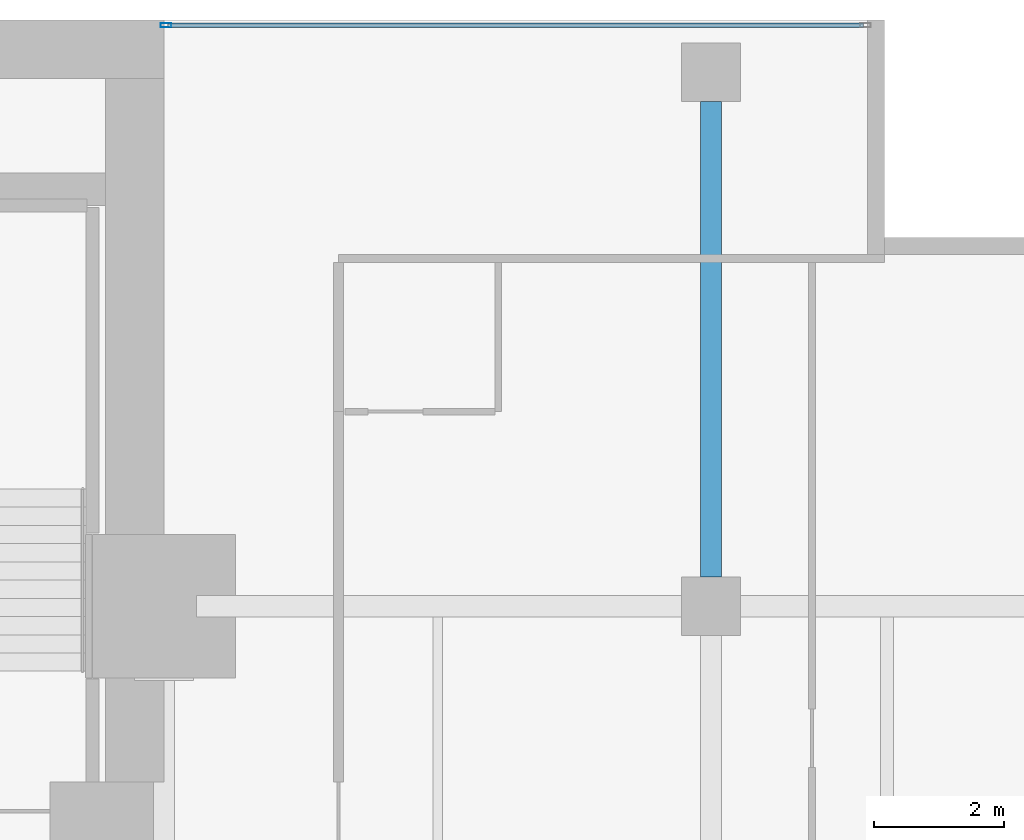
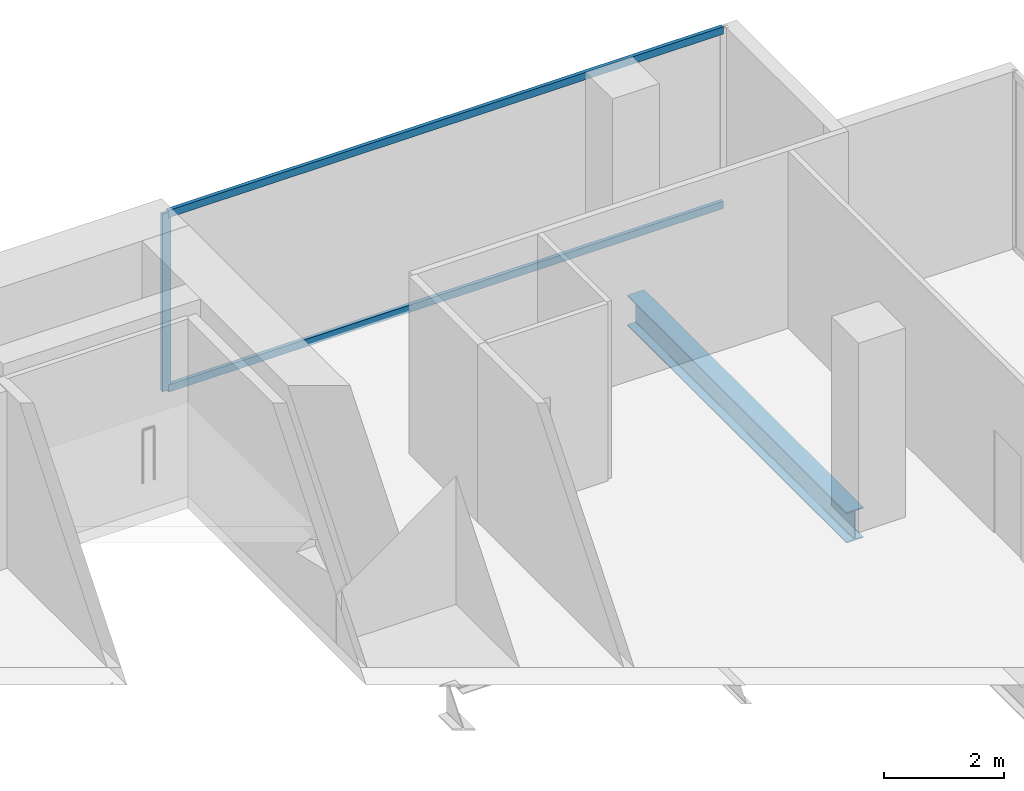
# One storey, part 30 of 40: 3 members, 1 beam, 1 element without a shape of its own.
"""IFC4 building model written with IfcOpenShell, lengths in metres."""

from ifc_helpers import new_model, si_unit, direction, frame, origin, origin_2d, place, context, subcontext, project, spatial, hollow_rectangle, i_section, extrude, material, layer, layer_set, material_profile, profile_set, type_object, element, aggregate, save


model = new_model("IFC4")

# Units and contexts
model_context = context("Model", 3, precision=1e-05, world=origin(), true_north=direction((0.0, 1.0)))
body_context = subcontext(model_context, "Body", "Model", "MODEL_VIEW")
ifc_project = project(units=[si_unit("LENGTHUNIT", "METRE"), si_unit("AREAUNIT", "SQUARE_METRE"), si_unit("VOLUMEUNIT", "CUBIC_METRE"), si_unit("PLANEANGLEUNIT", "RADIAN"), si_unit("MASSUNIT", "GRAM", prefix="KILO")], contexts=[model_context])

# Site, building, storey
site_placement = place(None, origin())
site = spatial("IfcSite", under=ifc_project, at=site_placement, CompositionType="ELEMENT")
building_placement = place(site_placement, origin())
building = spatial("IfcBuilding", under=site, at=building_placement, Name="Maruvema Waterfront Hotel and Observation Tower", CompositionType="ELEMENT")
storey_placement = place(building_placement, frame((0.0, 0.0, 73.14990234375)))
storey = spatial("IfcBuildingStorey", under=building, at=storey_placement, Name="L17", CompositionType="ELEMENT", Elevation=73.14990234375)

# Curtain wall, members
ifc_material_1 = material(Name="Anodised bronze aluminium and solar-control low-E IGU", Category="aluminium")
ifc_layer = layer(ifc_material_1, 0.159912109375, Name="Zone 1 Bronze Inner Thermal Curtain Wall System CW-02")
ifc_layer_set = layer_set([ifc_layer], Name="Anodised bronze aluminium and solar-control low-E IGU")
curtain_wall_type = type_object("IfcCurtainWallType", Name="Zone 1 Bronze Inner Thermal Curtain Wall System CW-02", PredefinedType="USERDEFINED", material=ifc_layer_set)
curtain_wall_placement = place(storey_placement, origin())
curtain_wall = element("IfcCurtainWall", 1, at=curtain_wall_placement, inside=storey, type_object=curtain_wall_type, Name="L17 Curtain Wall CW-L17-NE", ObjectType="UNITISED CURTAIN WALL", PredefinedType="USERDEFINED")
ifc_material_2 = material(Name="Anodised architectural bronze aluminium", Category="aluminium")
ifc_material_profile_1 = material_profile(ifc_material_2, hollow_rectangle(XDim=0.070068359375, YDim=0.14990234375, WallThickness=0.00390625, at=origin_2d()), Name="ALU-T70x150")
ifc_profile_set_1 = profile_set([ifc_material_profile_1], Name="Anodised architectural bronze aluminium")
member_type_1 = type_object("IfcMemberType", Name="Curtain Wall Horizontal Transom ALU-T70x150", PredefinedType="USERDEFINED", material=ifc_profile_set_1)
member_1_placement = place(storey_placement, frame((61.139892578125, 53.919921875, 0.030029296875), z_axis=(-1.0, 0.0, 0.0), x_axis=(0.0, -1.0, 0.0)))
member_1 = element("IfcMember", 2, at=member_1_placement, type_object=member_type_1, Name="CW-02 transom 1.1", ObjectType="TRANSOM", PredefinedType="USERDEFINED", context=body_context, shape_type="SweptSolid", body=[
    extrude(hollow_rectangle(XDim=0.070068359375, YDim=0.14990234375, WallThickness=0.00390625, at=origin_2d()), origin(), (0.0, 0.0, 1.0), 10.679931640625),
])
member_2_placement = place(storey_placement, frame((61.139892578125, 53.919921875, 3.580078125), z_axis=(-1.0, 0.0, 0.0), x_axis=(0.0, -1.0, 0.0)))
member_2 = element("IfcMember", 3, at=member_2_placement, type_object=member_type_1, Name="CW-02 transom 1.2", ObjectType="TRANSOM", PredefinedType="USERDEFINED", context=body_context, shape_type="SweptSolid", body=[
    extrude(hollow_rectangle(XDim=0.070068359375, YDim=0.14990234375, WallThickness=0.00390625, at=origin_2d()), origin(), (0.0, 0.0, 1.0), 10.679931640625),
])
ifc_material_3 = material(Name="Anodised architectural bronze aluminium", Category="aluminium")
ifc_material_profile_2 = material_profile(ifc_material_3, hollow_rectangle(XDim=0.06494140625, YDim=0.1650390625, WallThickness=0.00390625, at=origin_2d()), Name="ALU-M65x165")
ifc_profile_set_2 = profile_set([ifc_material_profile_2], Name="Anodised architectural bronze aluminium")
member_type_2 = type_object("IfcMemberType", Name="Curtain Wall Primary Mullion ALU-M65x165", PredefinedType="MULLION", material=ifc_profile_set_2)
member_3_placement = place(storey_placement, frame((50.429931640625, 53.919921875, 0.0), z_axis=(0.0, 0.0, 1.0), x_axis=(0.0, -1.0, 0.0)))
member_3 = element("IfcMember", 4, at=member_3_placement, type_object=member_type_2, Name="CW-02 mullion 2", PredefinedType="MULLION", context=body_context, shape_type="SweptSolid", body=[
    extrude(hollow_rectangle(XDim=0.06494140625, YDim=0.1650390625, WallThickness=0.00390625, at=origin_2d()), origin(), (0.0, 0.0, 1.0), 3.610107421875),
])
aggregate(curtain_wall, [member_3, member_1, member_2])

# Beam
ifc_material_4 = material(Name="Steel ASTM A572 Grade 50", Category="steel")
ifc_material_profile_3 = material_profile(ifc_material_4, i_section(OverallWidth=0.326904296875, OverallDepth=0.6220703125, WebThickness=0.015380859375, FlangeThickness=0.0244140625, FilletRadius=0.01806640625, at=origin_2d()), Name="W610x195.0")
ifc_profile_set_3 = profile_set([ifc_material_profile_3], Name="Steel ASTM A572 Grade 50")
beam_type = type_object("IfcBeamType", Name="Primary Floor Girder W610x195.0", PredefinedType="BEAM", material=ifc_profile_set_3)
beam_placement = place(storey_placement, frame((58.800048828125, 45.449951171875, -0.55078125), z_axis=(0.0, 1.0, 0.0), x_axis=(-1.0, 0.0, 0.0)))
element("IfcBeam", 5, at=beam_placement, inside=storey, type_object=beam_type, Name="L17 Floor Girder NS-32", PredefinedType="BEAM", context=body_context, shape_type="SweptSolid", body=[
    extrude(i_section(OverallWidth=0.326904296875, OverallDepth=0.6220703125, WebThickness=0.015380859375, FlangeThickness=0.0244140625, FilletRadius=0.01806640625, at=origin_2d()), origin(), (0.0, 0.0, 1.0), 7.300048828125),
])

save(model, "model.ifc")
